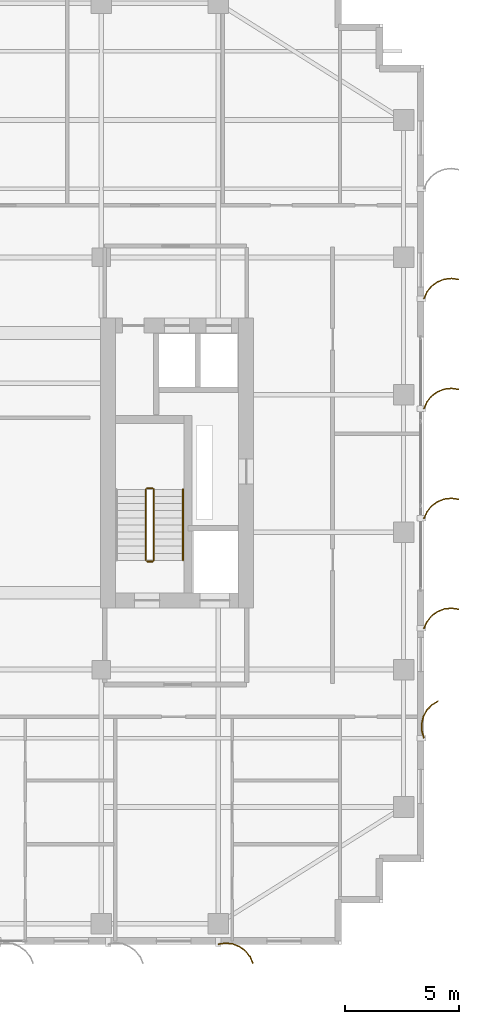
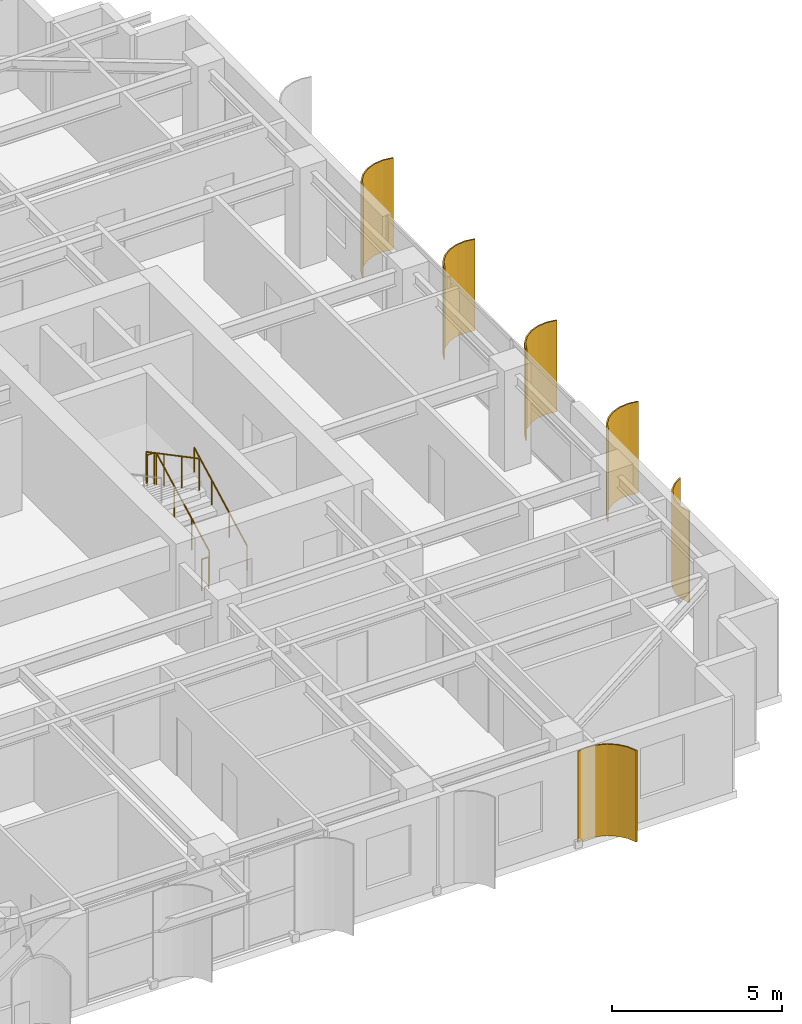
# One storey, part 20 of 21: 6 shading devices, 5 railings.
"""IFC4 building model written with IfcOpenShell, lengths in metres."""

from ifc_helpers import new_model, si_unit, direction, frame, origin, origin_2d, place, context, subcontext, project, spatial, polyline, circle, outline, extrude, source, transform, mapped, material, layer, layer_set, type_object, element, save


model = new_model("IFC4")

# Units and contexts
model_context = context("Model", 3, precision=1e-05, world=origin(), true_north=direction((0.0, 1.0)))
body_context = subcontext(model_context, "Body", "Model", "MODEL_VIEW")
ifc_project = project(units=[si_unit("LENGTHUNIT", "METRE"), si_unit("AREAUNIT", "SQUARE_METRE"), si_unit("VOLUMEUNIT", "CUBIC_METRE"), si_unit("PLANEANGLEUNIT", "RADIAN"), si_unit("MASSUNIT", "GRAM", prefix="KILO")], contexts=[model_context])

# Site, building, storey
site_placement = place(None, origin())
site = spatial("IfcSite", under=ifc_project, at=site_placement, CompositionType="ELEMENT")
building_placement = place(site_placement, origin())
building = spatial("IfcBuilding", under=site, at=building_placement, Name="Khoralis Quay Care Tower", CompositionType="ELEMENT")
storey_placement = place(building_placement, frame((0.0, 0.0, 159.300048828125)))
storey = spatial("IfcBuildingStorey", under=building, at=storey_placement, Name="L41", CompositionType="ELEMENT", Elevation=159.300048828125)

# Railings
ifc_material_1 = material(Name="Brushed stainless steel", Category="steel")
railing_type_1 = type_object("IfcRailingType", Name="RL-GUARD-1150", PredefinedType="GUARDRAIL", material=ifc_material_1)
railing_1_placement = place(storey_placement, frame((33.18994140625, 16.77001953125, 0.16357421875)))
element("IfcRailing", 1, at=railing_1_placement, inside=storey, type_object=railing_type_1, Name="L41 ST-T2 stair guard 1", PredefinedType="GUARDRAIL", context=body_context, shape_type="SweptSolid", body=[
    extrude(circle(Radius=0.02392578125, at=origin_2d()), frame((0.0, 0.0, 1.1259765625), z_axis=(0.0, 0.884348015382, 0.466828220752), x_axis=(-1.0, 0.0, 0.0)), (0.0, 0.0, 1.0), 3.505615234375),
    extrude(circle(Radius=0.02099609375, at=origin_2d()), origin(), (0.0, 0.0, 1.0), 1.101806640625),
    extrude(circle(Radius=0.02099609375, at=origin_2d()), frame((0.0, 1.033447265625, 0.54541015625)), (0.0, 0.0, 1.0), 1.101806640625),
    extrude(circle(Radius=0.02099609375, at=origin_2d()), frame((0.0, 2.066650390625, 1.091064453125)), (0.0, 0.0, 1.0), 1.101806640625),
    extrude(circle(Radius=0.02099609375, at=origin_2d()), frame((0.0, 3.10009765625, 1.636474609375)), (0.0, 0.0, 1.0), 1.101806640625),
])
railing_2_placement = place(storey_placement, frame((33.139892578125, 19.919921875, 1.800048828125)))
element("IfcRailing", 2, at=railing_2_placement, inside=storey, type_object=railing_type_1, Name="L41 ST-T2 stair guard 2", PredefinedType="GUARDRAIL", context=body_context, shape_type="SweptSolid", body=[
    extrude(circle(Radius=0.02392578125, at=origin_2d()), frame((0.0, 0.0, 1.1259765625), z_axis=(-1.0, 0.0, 0.0), x_axis=(0.0, -1.0, 0.0)), (0.0, 0.0, 1.0), 0.239990234375),
    extrude(circle(Radius=0.02099609375, at=origin_2d()), origin(), (0.0, 0.0, 1.0), 1.101806640625),
    extrude(circle(Radius=0.02099609375, at=origin_2d()), frame((-0.239990234375, 0.0, 0.0)), (0.0, 0.0, 1.0), 1.101806640625),
])
railing_3_placement = place(storey_placement, frame((32.85009765625, 19.8701171875, 1.963623046875)))
element("IfcRailing", 3, at=railing_3_placement, inside=storey, type_object=railing_type_1, Name="L41 ST-T2 stair guard 3", PredefinedType="GUARDRAIL", context=body_context, shape_type="SweptSolid", body=[
    extrude(circle(Radius=0.02392578125, at=origin_2d()), frame((0.0, 0.0, 1.1259765625), z_axis=(0.0, -0.884376766648, 0.46677375099), x_axis=(1.0, 0.0, 0.0)), (0.0, 0.0, 1.0), 3.50537109375),
    extrude(circle(Radius=0.02099609375, at=origin_2d()), origin(), (0.0, 0.0, 1.0), 1.101806640625),
    extrude(circle(Radius=0.02099609375, at=origin_2d()), frame((0.0, -1.033447265625, 0.54541015625)), (0.0, 0.0, 1.0), 1.101806640625),
    extrude(circle(Radius=0.02099609375, at=origin_2d()), frame((0.0, -2.066650390625, 1.0908203125)), (0.0, 0.0, 1.0), 1.101806640625),
    extrude(circle(Radius=0.02099609375, at=origin_2d()), frame((0.0, -3.10009765625, 1.63623046875)), (0.0, 0.0, 1.0), 1.101806640625),
])
railing_4_placement = place(storey_placement, frame((33.139892578125, 16.719970703125, 0.0)))
element("IfcRailing", 4, at=railing_4_placement, inside=storey, type_object=railing_type_1, Name="L41 ST-T2 stair guard 4", PredefinedType="GUARDRAIL", context=body_context, shape_type="SweptSolid", body=[
    extrude(circle(Radius=0.02392578125, at=origin_2d()), frame((0.0, 0.0, 1.1259765625), z_axis=(-1.0, 0.0, 0.0), x_axis=(0.0, -1.0, 0.0)), (0.0, 0.0, 1.0), 0.239990234375),
    extrude(circle(Radius=0.02099609375, at=origin_2d()), origin(), (0.0, 0.0, 1.0), 1.101806640625),
    extrude(circle(Radius=0.02099609375, at=origin_2d()), frame((-0.239990234375, 0.0, 0.0)), (0.0, 0.0, 1.0), 1.101806640625),
])
railing_type_2 = type_object("IfcRailingType", Name="RL-HAND-900", PredefinedType="HANDRAIL", material=ifc_material_1)
railing_5_placement = place(storey_placement, frame((34.469970703125, 16.77001953125, 0.16357421875)))
element("IfcRailing", 5, at=railing_5_placement, inside=storey, type_object=railing_type_2, Name="L41 ST-T2 stair handrail 1", PredefinedType="HANDRAIL", context=body_context, shape_type="SweptSolid", body=[
    extrude(circle(Radius=0.02392578125, at=origin_2d()), frame((0.0, 0.0, 0.8759765625), z_axis=(0.0, 0.884348015382, 0.466828220752), x_axis=(-1.0, 0.0, 0.0)), (0.0, 0.0, 1.0), 3.505615234375),
    extrude(circle(Radius=0.02099609375, at=origin_2d()), origin(), (0.0, 0.0, 1.0), 0.851806640625),
    extrude(circle(Radius=0.02099609375, at=origin_2d()), frame((0.0, 1.033447265625, 0.54541015625)), (0.0, 0.0, 1.0), 0.851806640625),
    extrude(circle(Radius=0.02099609375, at=origin_2d()), frame((0.0, 2.066650390625, 1.091064453125)), (0.0, 0.0, 1.0), 0.851806640625),
    extrude(circle(Radius=0.02099609375, at=origin_2d()), frame((0.0, 3.10009765625, 1.636474609375)), (0.0, 0.0, 1.0), 0.851806640625),
])

# Shading devices
ifc_material_2 = material(Name="Brushed pale anodised aluminium", Category="aluminium")
ifc_layer = layer(ifc_material_2, 0.044921875)
ifc_layer_set = layer_set([ifc_layer], Name="Brushed pale anodised aluminium")
shading_device_type = type_object("IfcShadingDeviceType", Name="SHD-FIN-1250", PredefinedType="USERDEFINED", material=ifc_layer_set)
shared_shape_1 = source(origin(), body_context, "Body", "SweptSolid", [
    extrude(outline(polyline([(0.0, 0.0), (-0.04833984375, 0.32275390625), (-0.01123046875, 0.64697265625), (0.1083984375, 0.950439453125), (0.302490234375, 1.212890625), (0.557861328125, 1.416015625), (0.85693359375, 1.546142578125), (0.869384765625, 1.5029296875), (0.5810546875, 1.37744140625), (0.334716796875, 1.181640625), (0.147705078125, 0.9287109375), (0.032470703125, 0.635986328125), (-0.003173828125, 0.323486328125), (0.043212890625, 0.012451171875), (0.0, 0.0)])), origin(), (0.0, 0.0, 1.0), 3.280029296875),
])
shading_device_1_placement = place(storey_placement, frame((36.0, 0.030029296875, 0.02001953125), z_axis=(0.0, 0.0, 1.0), x_axis=(0.0, -1.0, 0.0)))
element("IfcShadingDevice", 6, at=shading_device_1_placement, inside=storey, type_object=shading_device_type, Name="L41 Curved Solar Fin P1E0-06", ObjectType="FIN", PredefinedType="USERDEFINED", context=body_context, shape_type="MappedRepresentation", body=[
    mapped(shared_shape_1, transform((0.0, 0.0, 0.0), scale=1.0)),
])
shared_shape_2 = source(origin(), body_context, "Body", "SweptSolid", [
    extrude(outline(polyline([(0.0, 0.0), (-0.0927734375, 0.31298828125), (-0.101318359375, 0.63916015625), (-0.025146484375, 0.956298828125), (0.130615234375, 1.2431640625), (0.355224609375, 1.479736328125), (0.633544921875, 1.650390625), (0.65185546875, 1.609130859375), (0.383544921875, 1.44482421875), (0.1669921875, 1.216796875), (0.01708984375, 0.940185546875), (-0.056396484375, 0.63427734375), (-0.04833984375, 0.31982421875), (0.041015625, 0.018310546875), (0.0, 0.0)])), origin(), (0.0, 0.0, 1.0), 3.280029296875),
])
shading_device_2_placement = place(storey_placement, frame((44.969970703125, 9.0, 0.02001953125), z_axis=(0.0, 0.0, 1.0), x_axis=(1.0, 0.0, 0.0)))
element("IfcShadingDevice", 7, at=shading_device_2_placement, inside=storey, type_object=shading_device_type, Name="L41 Curved Solar Fin P1E5-01", ObjectType="FIN", PredefinedType="USERDEFINED", context=body_context, shape_type="MappedRepresentation", body=[
    mapped(shared_shape_2, transform((0.0, 0.0, 0.0), scale=1.0)),
])
shared_shape_3 = source(origin(), body_context, "Body", "SweptSolid", [
    extrude(outline(polyline([(0.0, 0.0), (0.130126953125, 0.29931640625), (0.333251953125, 0.5546875), (0.595458984375, 0.748779296875), (0.899169921875, 0.868408203125), (1.223388671875, 0.9052734375), (1.546142578125, 0.85693359375), (1.53369140625, 0.813720703125), (1.22265625, 0.8603515625), (0.91015625, 0.82470703125), (0.617431640625, 0.70947265625), (0.364501953125, 0.522216796875), (0.168701171875, 0.276123046875), (0.043212890625, -0.012451171875), (0.0, 0.0)])), origin(), (0.0, 0.0, 1.0), 3.280029296875),
])
for number, where, z_axis, x_axis, name in (
    (8, (44.969970703125, 13.800048828125, 0.02001953125), (0.0, 0.0, 1.0), (1.0, 0.0, 0.0), "L41 Curved Solar Fin P1E5-02"),
    (9, (44.969970703125, 18.60009765625, 0.02001953125), (0.0, 0.0, 1.0), (1.0, 0.0, 0.0), "L41 Curved Solar Fin P1E5-03"),
    (10, (44.969970703125, 23.39990234375, 0.02001953125), (0.0, 0.0, 1.0), (1.0, 0.0, 0.0), "L41 Curved Solar Fin P1E5-04"),
    (11, (44.969970703125, 28.199951171875, 0.02001953125), (0.0, 0.0, 1.0), (1.0, 0.0, 0.0), "L41 Curved Solar Fin P1E5-05"),
):
    element("IfcShadingDevice", number, at=place(storey_placement, frame(where, z_axis=z_axis, x_axis=x_axis)), inside=storey, type_object=shading_device_type, Name=name, ObjectType="FIN", PredefinedType="USERDEFINED", context=body_context, shape_type="MappedRepresentation", body=[
        mapped(shared_shape_3, transform((0.0, 0.0, 0.0), scale=1.0)),
    ])

save(model, "model.ifc")
